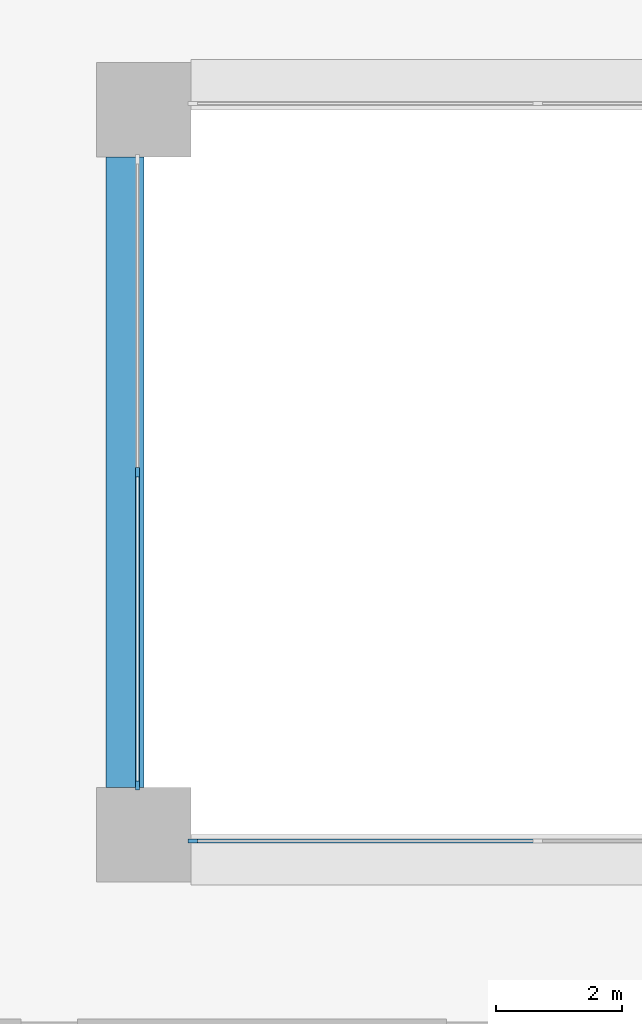
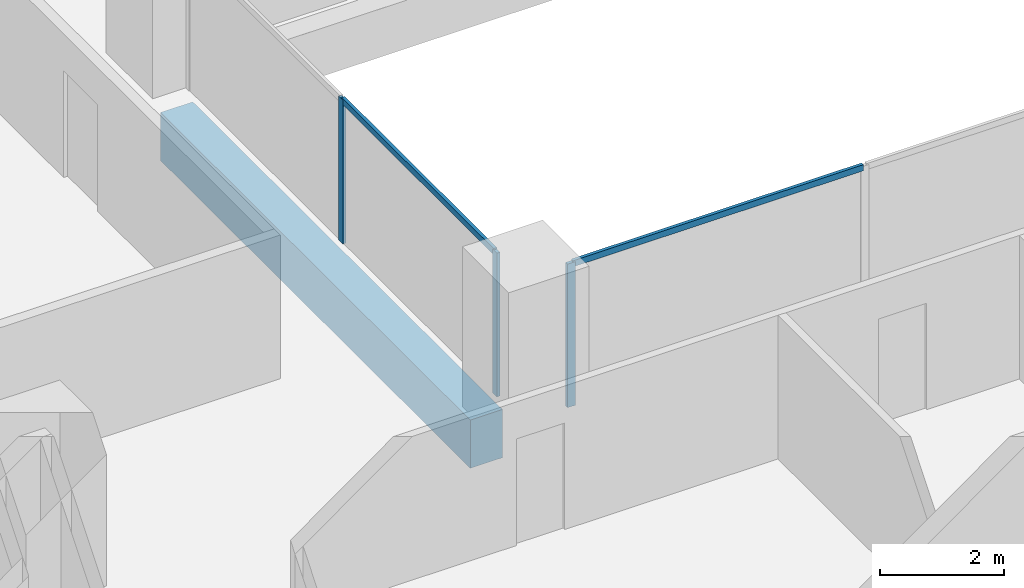
# One storey, part 2 of 20: 5 members, 1 beam, 2 elements without a shape of their own.
"""IFC4 building model written with IfcOpenShell, lengths in metres."""

from ifc_helpers import new_model, si_unit, direction, frame, origin, origin_2d, place, context, subcontext, project, spatial, rectangle, extrude, material, layer, layer_set, material_profile, profile_set, type_object, element, aggregate, save


model = new_model("IFC4")

# Units and contexts
model_context = context("Model", 3, precision=1e-05, world=origin(), true_north=direction((0.0, 1.0)))
body_context = subcontext(model_context, "Body", "Model", "MODEL_VIEW")
ifc_project = project(units=[si_unit("LENGTHUNIT", "METRE"), si_unit("AREAUNIT", "SQUARE_METRE"), si_unit("VOLUMEUNIT", "CUBIC_METRE"), si_unit("PLANEANGLEUNIT", "RADIAN"), si_unit("MASSUNIT", "GRAM", prefix="KILO")], contexts=[model_context])

# Site, building, storey
site_placement = place(None, origin())
site = spatial("IfcSite", under=ifc_project, at=site_placement, CompositionType="ELEMENT")
building_placement = place(site_placement, origin())
building = spatial("IfcBuilding", under=site, at=building_placement, Name="Brigalow Station Residences", CompositionType="ELEMENT")
storey_placement = place(building_placement, frame((0.0, 0.0, 66.75)))
storey = spatial("IfcBuildingStorey", under=building, at=storey_placement, Name="L19", CompositionType="ELEMENT", Elevation=66.75)

# Beam
ifc_material_1 = material(Name="Concrete C65", Category="concrete")
ifc_material_profile_1 = material_profile(ifc_material_1, rectangle(XDim=0.60009765625, YDim=0.949951171875, at=origin_2d()), Name="RC600x950")
ifc_profile_set_1 = profile_set([ifc_material_profile_1], Name="Concrete C65")
beam_type = type_object("IfcBeamType", Name="ATRIUM EDGE GIRDER 600x950 C65", PredefinedType="BEAM", material=ifc_profile_set_1)
beam_placement = place(storey_placement, frame((26.699951171875, 24.75, -0.794921875), z_axis=(0.0, 1.0, 0.0), x_axis=(-1.0, 0.0, 0.0)))
element("IfcBeam", 1, at=beam_placement, inside=storey, type_object=beam_type, Name="ATRIUM EDGE GIRDER 3 L19", PredefinedType="BEAM", context=body_context, shape_type="SweptSolid", body=[
    extrude(rectangle(XDim=0.60009765625, YDim=0.949951171875, at=origin_2d()), origin(), (0.0, 0.0, 1.0), 10.0),
])

# Curtain wall, member
ifc_material_2 = material(Name="Aluminium", Category="aluminium")
ifc_layer = layer(ifc_material_2, 0.14990234375)
ifc_layer_set = layer_set([ifc_layer], Name="ATRIUM FIRE-RATED GLAZING CURTAIN WALL")
curtain_wall_type = type_object("IfcCurtainWallType", Name="ATRIUM FIRE-RATED GLAZING CURTAIN WALL", PredefinedType="NOTDEFINED", material=ifc_layer_set)
curtain_wall_1_placement = place(storey_placement, origin())
curtain_wall_1 = element("IfcCurtainWall", 2, at=curtain_wall_1_placement, inside=storey, type_object=curtain_wall_type, Name="L19/cw/atrium-S", PredefinedType="NOTDEFINED")
ifc_material_3 = material(Name="Aluminium", Category="aluminium")
ifc_material_profile_2 = material_profile(ifc_material_3, rectangle(XDim=0.06005859375, YDim=0.14990234375, at=origin_2d()), Name="ATRIUM FIRE-RATED GLAZING MULLION 60x150")
ifc_profile_set_2 = profile_set([ifc_material_profile_2], Name="Aluminium")
member_type_1 = type_object("IfcMemberType", Name="ATRIUM FIRE-RATED GLAZING MULLION 60x150", PredefinedType="MULLION", material=ifc_profile_set_2)
member_1_placement = place(storey_placement, frame((27.780029296875, 23.89990234375, 0.0), z_axis=(0.0, 0.0, 1.0), x_axis=(0.0, 1.0, 0.0)))
member_1 = element("IfcMember", 3, at=member_1_placement, type_object=member_type_1, Name="L19/cw/atrium-S/M00", PredefinedType="MULLION", context=body_context, shape_type="SweptSolid", body=[
    extrude(rectangle(XDim=0.06005859375, YDim=0.14990234375, at=origin_2d()), origin(), (0.0, 0.0, 1.0), 2.830078125),
])

# Curtain wall, members
curtain_wall_2_placement = place(storey_placement, origin())
curtain_wall_2 = element("IfcCurtainWall", 4, at=curtain_wall_2_placement, inside=storey, type_object=curtain_wall_type, Name="L19/cw/atrium-W", PredefinedType="NOTDEFINED")
member_2_placement = place(storey_placement, frame((26.89990234375, 29.75, 0.0), z_axis=(0.0, 0.0, 1.0), x_axis=(1.0, 0.0, 0.0)))
member_2 = element("IfcMember", 5, at=member_2_placement, type_object=member_type_1, Name="L19/cw/atrium-W/M01", PredefinedType="MULLION", context=body_context, shape_type="SweptSolid", body=[
    extrude(rectangle(XDim=0.06005859375, YDim=0.14990234375, at=origin_2d()), origin(), (0.0, 0.0, 1.0), 2.830078125),
])
member_3_placement = place(storey_placement, frame((26.89990234375, 24.780029296875, 0.0), z_axis=(0.0, 0.0, 1.0), x_axis=(1.0, 0.0, 0.0)))
member_3 = element("IfcMember", 6, at=member_3_placement, type_object=member_type_1, Name="L19/cw/atrium-W/M02", PredefinedType="MULLION", context=body_context, shape_type="SweptSolid", body=[
    extrude(rectangle(XDim=0.06005859375, YDim=0.14990234375, at=origin_2d()), origin(), (0.0, 0.0, 1.0), 2.830078125),
])

# Member
ifc_material_4 = material(Name="Aluminium", Category="aluminium")
ifc_material_profile_3 = material_profile(ifc_material_4, rectangle(XDim=0.06005859375, YDim=0.1201171875, at=origin_2d()), Name="ATRIUM FIRE-RATED GLAZING TRANSOM 60x120")
ifc_profile_set_3 = profile_set([ifc_material_profile_3], Name="Aluminium")
member_type_2 = type_object("IfcMemberType", Name="ATRIUM FIRE-RATED GLAZING TRANSOM 60x120", PredefinedType="USERDEFINED", material=ifc_profile_set_3)
member_4_placement = place(storey_placement, frame((27.81005859375, 23.89990234375, 2.800048828125), z_axis=(1.0, 0.0, 0.0), x_axis=(0.0, 1.0, 0.0)))
member_4 = element("IfcMember", 7, at=member_4_placement, type_object=member_type_2, Name="L19/cw/atrium-S/T00-00", ObjectType="TRANSOM", PredefinedType="USERDEFINED", context=body_context, shape_type="SweptSolid", body=[
    extrude(rectangle(XDim=0.06005859375, YDim=0.1201171875, at=origin_2d()), origin(), (0.0, 0.0, 1.0), 5.409912109375),
])

aggregate(curtain_wall_1, [member_1, member_4])

member_5_placement = place(storey_placement, frame((26.89990234375, 29.719970703125, 2.800048828125), z_axis=(0.0, -1.0, 0.0), x_axis=(1.0, 0.0, 0.0)))
member_5 = element("IfcMember", 8, at=member_5_placement, type_object=member_type_2, Name="L19/cw/atrium-W/T01-00", ObjectType="TRANSOM", PredefinedType="USERDEFINED", context=body_context, shape_type="SweptSolid", body=[
    extrude(rectangle(XDim=0.06005859375, YDim=0.1201171875, at=origin_2d()), origin(), (0.0, 0.0, 1.0), 4.909912109375),
])

aggregate(curtain_wall_2, [member_2, member_3, member_5])

save(model, "model.ifc")
